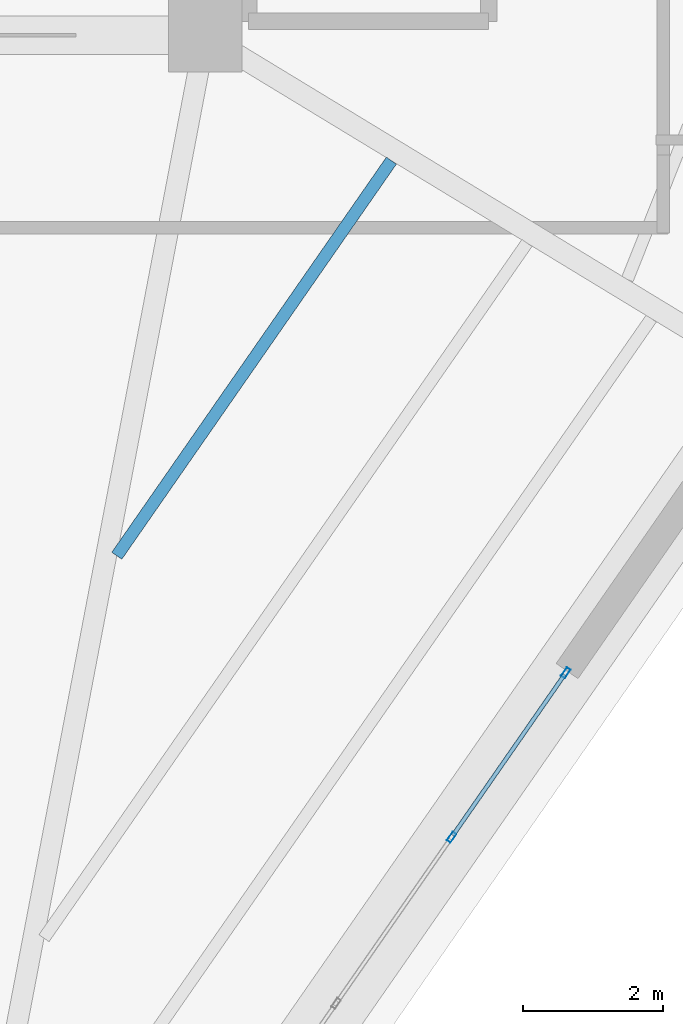
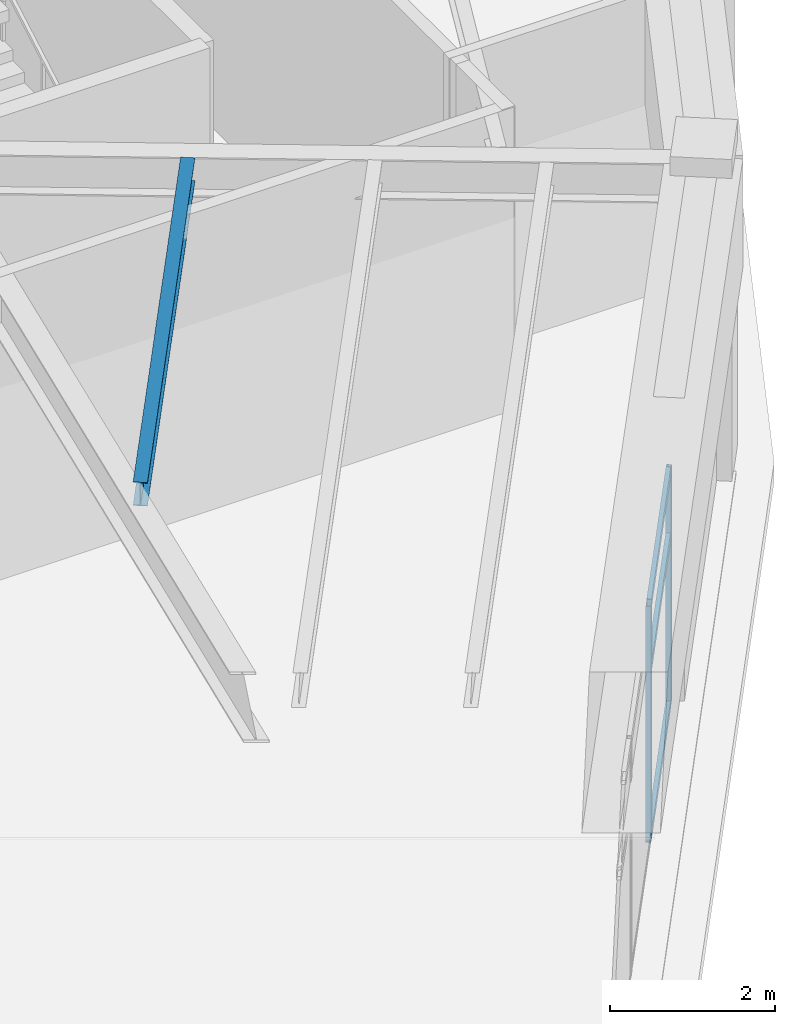
# One storey, part 14 of 40: 5 members, 1 beam, 1 element without a shape of its own.
"""IFC4 building model written with IfcOpenShell, lengths in metres."""

import ifcopenshell
import ifcopenshell.guid

model = None  # the IFC model being written
_history = None  # IfcOwnerHistory: only IFC2X3 demands one
_inside = {}  # id of a spatial element -> (the spatial element, [elements in it])
_under = {}  # id of a project, library or spatial element -> (it, [spatial elements below it])
_declared = {}  # id of a project -> (the project, [libraries it declares])
_typed = {}  # id of a type object -> (the type object, [elements of that type])
_made_of = {}  # id of a material, layer set ... -> (it, [elements and type objects made of it])


def new_model(schema):
    """Start an empty IFC model of exactly this schema.

    Asked for "IFC4X3", IfcOpenShell would pick the latest addendum, in which some entities
    have other attributes; the version numbers below select the first issue.
    IFC2X3 requires an IfcOwnerHistory on every rooted entity: one is made here for all.
    """
    global model, _history
    if schema == "IFC4X3":
        model = ifcopenshell.file(schema_version=(4, 3, 0, 0))
    else:
        model = ifcopenshell.file(schema=schema)
    _inside.clear()
    _under.clear()
    _declared.clear()
    _typed.clear()
    _made_of.clear()
    _history = None
    if model.schema == "IFC2X3":
        org = make("IfcOrganization", Name="unknown")
        user = make(
            "IfcPersonAndOrganization",
            ThePerson=make("IfcPerson", FamilyName="unknown"),
            TheOrganization=org,
        )
        app = make(
            "IfcApplication",
            ApplicationDeveloper=org,
            Version="unknown",
            ApplicationFullName="unknown",
            ApplicationIdentifier="unknown",
        )
        _history = make(
            "IfcOwnerHistory",
            OwningUser=user,
            OwningApplication=app,
            ChangeAction="ADDED",
            CreationDate=0,
        )
    return model


def make(cls, **values):
    """One entity of the class cls with the attributes given. An attribute that is None is left unset."""
    return model.create_entity(
        cls, **{name: value for name, value in values.items() if value is not None}
    )


def rooted(cls, **values):
    """An entity with a GlobalId (a new one), such as an element, a storey or a relation."""
    return make(cls, GlobalId=ifcopenshell.guid.new(), OwnerHistory=_history, **values)


def si_unit(unit_type, name, prefix=None):
    """IfcSIUnit, for example si_unit("LENGTHUNIT", "METRE", prefix="MILLI")."""
    return make("IfcSIUnit", UnitType=unit_type, Prefix=prefix, Name=name)


def assignment(units):
    """IfcUnitAssignment: the units of a project."""
    return None if units is None else make("IfcUnitAssignment", Units=units)


def point(xyz):
    """IfcCartesianPoint."""
    return None if xyz is None else make("IfcCartesianPoint", Coordinates=xyz)


def direction(xyz):
    """IfcDirection."""
    return None if xyz is None else make("IfcDirection", DirectionRatios=xyz)


def frame(location, z_axis=None, x_axis=None):
    """IfcAxis2Placement3D, a coordinate frame: its origin and axes. An axis left out is left unset."""
    return make(
        "IfcAxis2Placement3D",
        Location=point(location),
        Axis=direction(z_axis),
        RefDirection=direction(x_axis),
    )


def frame_2d(location, x_axis=None):
    """IfcAxis2Placement2D, a coordinate frame in the plane: its origin and x axis."""
    return make(
        "IfcAxis2Placement2D", Location=point(location), RefDirection=direction(x_axis)
    )


def origin():
    """The frame at (0, 0, 0) with its axes left unset."""
    return frame((0.0, 0.0, 0.0))


def origin_2d():
    """The frame at (0, 0) in the plane with its x axis left unset."""
    return frame_2d((0.0, 0.0))


def place(relative_to, where):
    """IfcLocalPlacement: puts the frame where relative to a parent placement (None: the world)."""
    return make(
        "IfcLocalPlacement", PlacementRelTo=relative_to, RelativePlacement=where
    )


def context(
    kind, dimensions, precision=None, world=None, true_north=None, identifier=None
):
    """IfcGeometricRepresentationContext, for example the 3D "Model" context."""
    return make(
        "IfcGeometricRepresentationContext",
        ContextIdentifier=identifier,
        ContextType=kind,
        CoordinateSpaceDimension=dimensions,
        Precision=precision,
        WorldCoordinateSystem=world,
        TrueNorth=true_north,
    )


def subcontext(parent, identifier, kind, view, scale=None):
    """IfcGeometricRepresentationSubContext, for example "Body" below "Model"."""
    return make(
        "IfcGeometricRepresentationSubContext",
        ContextIdentifier=identifier,
        ContextType=kind,
        ParentContext=parent,
        TargetScale=scale,
        TargetView=view,
    )


def project(units=None, contexts=None):
    """IfcProject with its units and contexts."""
    return rooted(
        "IfcProject",
        Name="project",
        RepresentationContexts=contexts,
        UnitsInContext=assignment(units),
    )


def spatial(cls, under=None, at=None, **own):
    """A site, building, storey or space (cls), placed at a placement, below another one or the project."""
    s = rooted(cls, ObjectPlacement=at, **own)
    if under is not None:
        _under.setdefault(under.id(), (under, []))[1].append(s)
    return s


def profile(cls, at=None, kind="AREA", **sizes):
    """A parametric profile (cls). Its sizes go by their IFC names, for example OverallWidth=200.0."""
    return make(cls, ProfileType=kind, Position=at, **sizes)


def hollow_rectangle(**sizes):
    """IfcRectangleHollowProfileDef."""
    return profile("IfcRectangleHollowProfileDef", **sizes)


def i_section(**sizes):
    """IfcIShapeProfileDef."""
    return profile("IfcIShapeProfileDef", **sizes)


def extrude(swept, where, along, depth):
    """IfcExtrudedAreaSolid: the profile swept, set in the frame where, extruded along a direction by depth."""
    return make(
        "IfcExtrudedAreaSolid",
        SweptArea=swept,
        Position=where,
        ExtrudedDirection=direction(along),
        Depth=depth,
    )


def shape(context_of_items, identifier, shape_type, items):
    """IfcShapeRepresentation: the items that make up one representation, for example the "Body"."""
    return make(
        "IfcShapeRepresentation",
        ContextOfItems=context_of_items,
        RepresentationIdentifier=identifier,
        RepresentationType=shape_type,
        Items=items,
    )


def source(mapping_origin, context_of_items, identifier, shape_type, items):
    """IfcRepresentationMap: a shape defined once, which mapped items show again and again."""
    return make(
        "IfcRepresentationMap",
        MappingOrigin=mapping_origin,
        MappedRepresentation=shape(context_of_items, identifier, shape_type, items),
    )


def transform(
    local_origin,
    x_axis=None,
    y_axis=None,
    z_axis=None,
    scale=None,
    scale2=None,
    scale3=None,
    uniform=True,
):
    """IfcCartesianTransformationOperator3D, or its non-uniform kind. x_axis, y_axis, z_axis: its Axis1, 2, 3."""
    if uniform:
        return make(
            "IfcCartesianTransformationOperator3D",
            Axis1=direction(x_axis),
            Axis2=direction(y_axis),
            LocalOrigin=point(local_origin),
            Scale=scale,
            Axis3=direction(z_axis),
        )
    return make(
        "IfcCartesianTransformationOperator3DnonUniform",
        Axis1=direction(x_axis),
        Axis2=direction(y_axis),
        LocalOrigin=point(local_origin),
        Scale=scale,
        Axis3=direction(z_axis),
        Scale2=scale2,
        Scale3=scale3,
    )


def mapped(mapping_source, mapping_target):
    """IfcMappedItem: shows the shape of a source again, moved by a transform."""
    return make(
        "IfcMappedItem", MappingSource=mapping_source, MappingTarget=mapping_target
    )


def material(Name=None, Category=None):
    """IfcMaterial."""
    return make("IfcMaterial", Name=Name, Category=Category)


def layer(
    of_material, thickness, ventilated=None, Name=None, Category=None, Priority=None
):
    """IfcMaterialLayer: one layer of a wall or slab, of a material (None: an air gap)."""
    return make(
        "IfcMaterialLayer",
        Material=of_material,
        LayerThickness=thickness,
        IsVentilated=ventilated,
        Name=Name,
        Category=Category,
        Priority=Priority,
    )


def layer_set(layers, Name=None):
    """IfcMaterialLayerSet."""
    return make("IfcMaterialLayerSet", MaterialLayers=layers, LayerSetName=Name)


def material_profile(
    of_material, cross_section, Name=None, Category=None, Priority=None
):
    """IfcMaterialProfile: a cross section and its material."""
    return make(
        "IfcMaterialProfile",
        Name=Name,
        Material=of_material,
        Profile=cross_section,
        Priority=Priority,
        Category=Category,
    )


def profile_set(profiles, Name=None, composite=None):
    """IfcMaterialProfileSet."""
    return make(
        "IfcMaterialProfileSet",
        Name=Name,
        MaterialProfiles=profiles,
        CompositeProfile=composite,
    )


def made_of(thing, what):
    """Note that an element or type object is made of a material, layer set ...; save() writes the relation."""
    if what is not None:
        _made_of.setdefault(what.id(), (what, []))[1].append(thing)
    return thing


def type_object(cls, material=None, **own):
    """A type object (cls), such as IfcWallType, which elements share."""
    return made_of(rooted(cls, **own), material)


def element(
    cls,
    number,
    at=None,
    inside=None,
    cuts=None,
    type_object=None,
    material=None,
    context=None,
    identifier="Body",
    shape_type=None,
    held_by="IfcProductDefinitionShape",
    body=None,
    shapes=None,
    **own,
):
    """One element of the class cls, such as IfcWall. Its Tag is "e" and its number.

    at: its placement. inside: the storey or other place that contains it. cuts: it is an
    opening in that element (IfcRelVoidsElement). A single representation is given by context,
    identifier, shape_type and body (its items); several are given by shapes. held_by: the class
    of the entity that holds the representations. save() writes the other relations.
    """
    e = rooted(cls, Tag="e%d" % number, ObjectPlacement=at, **own)
    if body is not None:
        shapes = [shape(context, identifier, shape_type, body)]
    if shapes is not None:
        e.Representation = make(held_by, Representations=shapes)
    if inside is not None:
        _inside.setdefault(inside.id(), (inside, []))[1].append(e)
    if cuts is not None:
        rooted(
            "IfcRelVoidsElement", RelatingBuildingElement=cuts, RelatedOpeningElement=e
        )
    if type_object is not None:
        _typed.setdefault(type_object.id(), (type_object, []))[1].append(e)
    return made_of(e, material)


def aggregate(whole, parts):
    """IfcRelAggregates: a whole, such as a stair, and the parts it consists of."""
    return rooted("IfcRelAggregates", RelatingObject=whole, RelatedObjects=parts)


def save(model, path):
    """Write the relations noted so far, then the file.

    IfcRelAggregates (storeys below a building ...), IfcRelContainedInSpatialStructure (elements
    in a storey), IfcRelDefinesByType, IfcRelAssociatesMaterial and IfcRelDeclares: one each for
    every whole, place, type object, material and project.
    """
    for whole, parts in _under.values():
        aggregate(whole, parts)
    for where, things in _inside.values():
        rooted(
            "IfcRelContainedInSpatialStructure",
            RelatedElements=things,
            RelatingStructure=where,
        )
    for kind, things in _typed.values():
        rooted("IfcRelDefinesByType", RelatedObjects=things, RelatingType=kind)
    for what, things in _made_of.values():
        rooted("IfcRelAssociatesMaterial", RelatedObjects=things, RelatingMaterial=what)
    for by, libraries in _declared.values():
        rooted("IfcRelDeclares", RelatingContext=by, RelatedDefinitions=libraries)
    model.write(path)


model = new_model("IFC4")

# Units and contexts
model_context = context("Model", 3, precision=1e-05, world=origin(), true_north=direction((0.0, 1.0)))
body_context = subcontext(model_context, "Body", "Model", "MODEL_VIEW")
ifc_project = project(units=[si_unit("LENGTHUNIT", "METRE"), si_unit("AREAUNIT", "SQUARE_METRE"), si_unit("VOLUMEUNIT", "CUBIC_METRE"), si_unit("PLANEANGLEUNIT", "RADIAN"), si_unit("MASSUNIT", "GRAM", prefix="KILO")], contexts=[model_context])

# Site, building, storey
site_placement = place(None, origin())
site = spatial("IfcSite", under=ifc_project, at=site_placement, CompositionType="ELEMENT")
building_placement = place(site_placement, origin())
building = spatial("IfcBuilding", under=site, at=building_placement, Name="Liaohun Quay Tower", CompositionType="ELEMENT")
storey_placement = place(building_placement, frame((0.0, 0.0, 351.0)))
storey = spatial("IfcBuildingStorey", under=building, at=storey_placement, Name="L91", CompositionType="ELEMENT", Elevation=351.0)

# Beam
ifc_material_1 = material(Name="Steel Q355D", Category="steel")
ifc_material_profile_1 = material_profile(ifc_material_1, i_section(OverallWidth=0.175048828125, OverallDepth=0.35009765625, WebThickness=0.007080078125, FlangeThickness=0.010986328125, at=origin_2d()), Name="HN350x175x7x11")
ifc_profile_set_1 = profile_set([ifc_material_profile_1], Name="Steel Q355D")
beam_type = type_object("IfcBeamType", Name="BM-SEC-J3", PredefinedType="JOIST", material=ifc_profile_set_1)
shared_shape_1 = source(origin(), body_context, "Body", "SweptSolid", [
    extrude(i_section(OverallWidth=0.175048828125, OverallDepth=0.35009765625, WebThickness=0.007080078125, FlangeThickness=0.010986328125, at=origin_2d()), origin(), (0.0, 0.0, 1.0), 6.893798828125),
])
beam_placement = place(storey_placement, frame((71.6669921875, 44.7041015625, 4.344970703125), z_axis=(-0.57066390178, -0.821183725609, 0.0), x_axis=(0.821183725609, -0.57066390178, 0.0)))
element("IfcBeam", 1, at=beam_placement, inside=storey, type_object=beam_type, Name="L91 Wing Secondary Floor Joist SJ-12", PredefinedType="JOIST", context=body_context, shape_type="MappedRepresentation", body=[
    mapped(shared_shape_1, transform((0.0, 0.0, 0.0), x_axis=(1.0, 0.0, 0.0), y_axis=(0.0, 1.0, 0.0), z_axis=(0.0, 0.0, 1.0), scale=1.0)),
])

# Curtain wall, members
ifc_material_2 = material(Name="Observation gallery panoramic triple-glazed curtain wall")
ifc_layer = layer(ifc_material_2, 0.219970703125, Name="Observation gallery panoramic triple-glazed curtain wall")
ifc_layer_set = layer_set([ifc_layer], Name="Observation gallery panoramic triple-glazed curtain wall")
curtain_wall_type = type_object("IfcCurtainWallType", Name="CW-OBS-CRN", PredefinedType="NOTDEFINED", material=ifc_layer_set)
curtain_wall_placement = place(storey_placement, origin())
curtain_wall = element("IfcCurtainWall", 2, at=curtain_wall_placement, inside=storey, type_object=curtain_wall_type, Name="L91 Panoramic Belvedere Curtain Wall 01", PredefinedType="NOTDEFINED")
ifc_material_3 = material(Name="Anodised aluminium 6063-T6", Category="aluminium")
ifc_material_profile_2 = material_profile(ifc_material_3, hollow_rectangle(XDim=0.06494140625, YDim=0.14990234375, WallThickness=0.00390625, at=origin_2d()), Name="RHS150x65x4")
ifc_profile_set_2 = profile_set([ifc_material_profile_2], Name="Anodised aluminium 6063-T6")
member_type_1 = type_object("IfcMemberType", Name="MEM-CWM-SKY", PredefinedType="MULLION", material=ifc_profile_set_2)
shared_shape_2 = source(origin(), body_context, "Body", "SweptSolid", [
    extrude(hollow_rectangle(XDim=0.06494140625, YDim=0.14990234375, WallThickness=0.00390625, at=origin_2d()), origin(), (0.0, 0.0, 1.0), 3.5),
])
member_1_placement = place(storey_placement, frame((72.529541015625, 35.010498046875, 0.0), z_axis=(0.0, 0.0, 1.0), x_axis=(-0.821259996973, 0.570554131851, 0.0)))
member_1 = element("IfcMember", 3, at=member_1_placement, type_object=member_type_1, Name="CW6 mullion 4", PredefinedType="MULLION", context=body_context, shape_type="MappedRepresentation", body=[
    mapped(shared_shape_2, transform((0.0, 0.0, 0.0), x_axis=(1.0, 0.0, 0.0), y_axis=(0.0, 1.0, 0.0), z_axis=(0.0, 0.0, 1.0), scale=1.0)),
])
member_2_placement = place(storey_placement, frame((74.16552734375, 37.365234375, 0.0), z_axis=(0.0, 0.0, 1.0), x_axis=(-0.821259996973, 0.570554131851, 0.0)))
member_2 = element("IfcMember", 4, at=member_2_placement, type_object=member_type_1, Name="CW6 mullion 5", PredefinedType="MULLION", context=body_context, shape_type="MappedRepresentation", body=[
    mapped(shared_shape_2, transform((0.0, 0.0, 0.0), x_axis=(1.0, 0.0, 0.0), y_axis=(0.0, 1.0, 0.0), z_axis=(0.0, 0.0, 1.0), scale=1.0)),
])
ifc_material_profile_3 = material_profile(ifc_material_3, hollow_rectangle(XDim=0.06005859375, YDim=0.135009765625, WallThickness=0.00390625, at=origin_2d()), Name="RHS135x60x4")
ifc_profile_set_3 = profile_set([ifc_material_profile_3], Name="Anodised aluminium 6063-T6")
member_type_2 = type_object("IfcMemberType", Name="MEM-CWT-SKY", PredefinedType="USERDEFINED", material=ifc_profile_set_3)
shared_shape_3 = source(origin(), body_context, "Body", "SweptSolid", [
    extrude(hollow_rectangle(XDim=0.06005859375, YDim=0.135009765625, WallThickness=0.00390625, at=origin_2d()), origin(), (0.0, 0.0, 1.0), 2.802490234375),
])
member_3_placement = place(storey_placement, frame((72.548095703125, 35.037109375, 0.030029296875), z_axis=(0.57054110441, 0.821269047377, 0.0), x_axis=(-0.821269047377, 0.57054110441, 0.0)))
member_3 = element("IfcMember", 5, at=member_3_placement, type_object=member_type_2, Name="CW6 transom 4.1", ObjectType="TRANSOM", PredefinedType="USERDEFINED", context=body_context, shape_type="MappedRepresentation", body=[
    mapped(shared_shape_3, transform((0.0, 0.0, 0.0), x_axis=(1.0, 0.0, 0.0), y_axis=(0.0, 1.0, 0.0), z_axis=(0.0, 0.0, 1.0), scale=1.0)),
])
member_4_placement = place(storey_placement, frame((72.548095703125, 35.037109375, 2.52001953125), z_axis=(0.57054110441, 0.821269047377, 0.0), x_axis=(-0.821269047377, 0.57054110441, 0.0)))
member_4 = element("IfcMember", 6, at=member_4_placement, type_object=member_type_2, Name="CW6 transom 4.2", ObjectType="TRANSOM", PredefinedType="USERDEFINED", context=body_context, shape_type="MappedRepresentation", body=[
    mapped(shared_shape_3, transform((0.0, 0.0, 0.0), x_axis=(1.0, 0.0, 0.0), y_axis=(0.0, 1.0, 0.0), z_axis=(0.0, 0.0, 1.0), scale=1.0)),
])
member_5_placement = place(storey_placement, frame((72.548095703125, 35.037109375, 3.469970703125), z_axis=(0.57054110441, 0.821269047377, 0.0), x_axis=(-0.821269047377, 0.57054110441, 0.0)))
member_5 = element("IfcMember", 7, at=member_5_placement, type_object=member_type_2, Name="CW6 transom 4.3", ObjectType="TRANSOM", PredefinedType="USERDEFINED", context=body_context, shape_type="MappedRepresentation", body=[
    mapped(shared_shape_3, transform((0.0, 0.0, 0.0), x_axis=(1.0, 0.0, 0.0), y_axis=(0.0, 1.0, 0.0), z_axis=(0.0, 0.0, 1.0), scale=1.0)),
])
aggregate(curtain_wall, [member_1, member_2, member_3, member_4, member_5])

save(model, "model.ifc")
